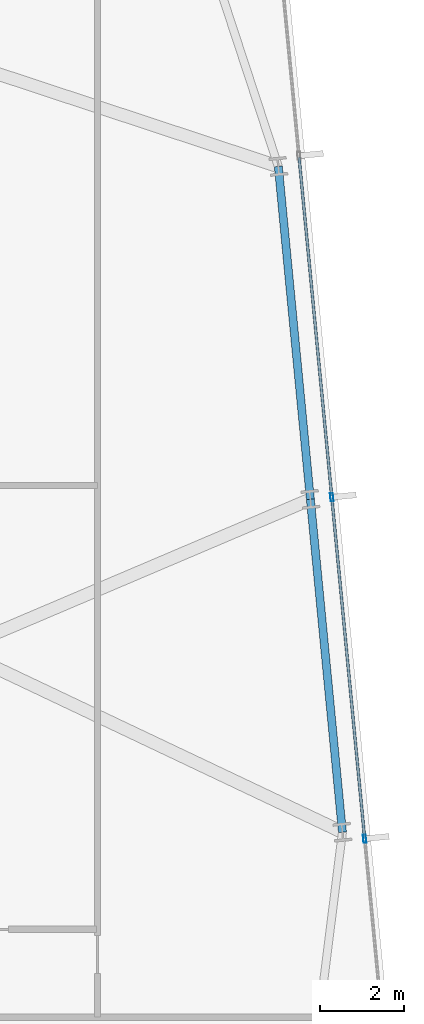
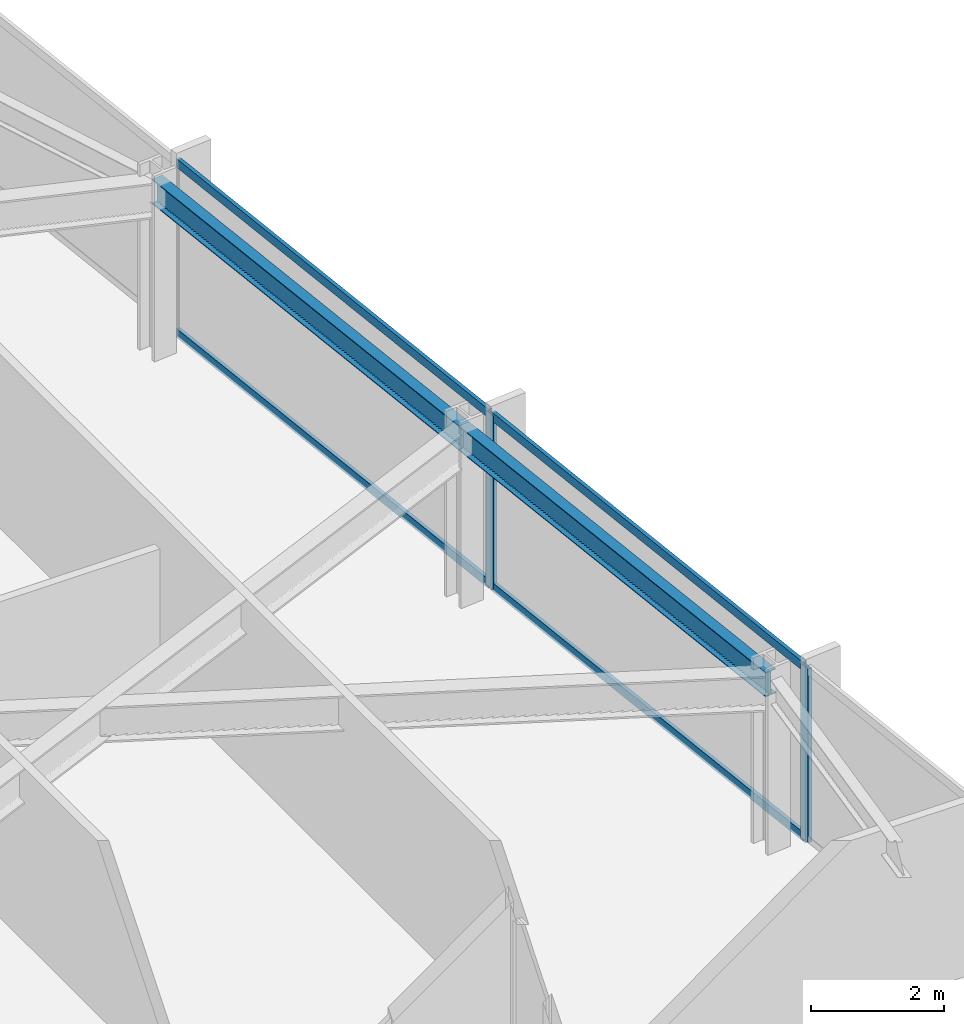
# One storey, part 16 of 33: 6 members, 2 beams, 1 element without a shape of its own.
"""IFC4 building model written with IfcOpenShell, lengths in metres."""

from ifc_helpers import new_model, si_unit, direction, frame, origin, origin_2d, place, context, subcontext, project, spatial, hollow_rectangle, i_section, extrude, material, material_profile, profile_set, type_object, element, aggregate, save


model = new_model("IFC4")

# Units and contexts
model_context = context("Model", 3, precision=1e-05, world=origin(), true_north=direction((0.0, 1.0)))
body_context = subcontext(model_context, "Body", "Model", "MODEL_VIEW")
ifc_project = project(units=[si_unit("LENGTHUNIT", "METRE"), si_unit("AREAUNIT", "SQUARE_METRE"), si_unit("VOLUMEUNIT", "CUBIC_METRE"), si_unit("PLANEANGLEUNIT", "RADIAN"), si_unit("MASSUNIT", "GRAM", prefix="KILO")], contexts=[model_context])

# Site, building, storey
site_placement = place(None, origin())
site = spatial("IfcSite", under=ifc_project, at=site_placement, CompositionType="ELEMENT")
building_placement = place(site_placement, origin())
building = spatial("IfcBuilding", under=site, at=building_placement, Name="Yelkora Congress Tower", CompositionType="ELEMENT")
storey_placement = place(building_placement, frame((0.0, 0.0, 123.699951171875)))
storey = spatial("IfcBuildingStorey", under=building, at=storey_placement, Name="L33", CompositionType="ELEMENT", Elevation=123.699951171875)

# Beams
ifc_material_1 = material(Name="Steel S355J2", Category="steel")
ifc_material_profile_1 = material_profile(ifc_material_1, i_section(OverallWidth=0.18994140625, OverallDepth=0.449951171875, WebThickness=0.009521484375, FlangeThickness=0.0146484375, FilletRadius=0.02099609375, at=origin_2d()), Name="IPE 450")
ifc_profile_set_1 = profile_set([ifc_material_profile_1], Name="Steel S355J2")
beam_type = type_object("IfcBeamType", Name="BM-SPAN-IPE450", PredefinedType="SPANDREL", material=ifc_profile_set_1)
beam_1_placement = place(storey_placement, frame((76.041259765625, 24.83349609375, 2.955078125), z_axis=(-0.095839787071, 0.995396772757, 0.0), x_axis=(-0.995396772757, -0.095839787071, 0.0)))
element("IfcBeam", 1, at=beam_1_placement, inside=storey, type_object=beam_type, Name="L33 Perimeter Beam 11", PredefinedType="SPANDREL", context=body_context, shape_type="SweptSolid", body=[
    extrude(i_section(OverallWidth=0.18994140625, OverallDepth=0.449951171875, WebThickness=0.009521484375, FlangeThickness=0.0146484375, FilletRadius=0.02099609375, at=origin_2d()), origin(), (0.0, 0.0, 1.0), 7.9248046875),
])
beam_2_placement = place(storey_placement, frame((75.28173828125, 32.721923828125, 2.955078125), z_axis=(-0.09583684824, 0.995397055712, 0.0), x_axis=(-0.995397055712, -0.09583684824, 0.0)))
element("IfcBeam", 2, at=beam_2_placement, inside=storey, type_object=beam_type, Name="L33 Perimeter Beam 12", PredefinedType="SPANDREL", context=body_context, shape_type="SweptSolid", body=[
    extrude(i_section(OverallWidth=0.18994140625, OverallDepth=0.449951171875, WebThickness=0.009521484375, FlangeThickness=0.0146484375, FilletRadius=0.02099609375, at=origin_2d()), origin(), (0.0, 0.0, 1.0), 7.925048828125),
])

# Curtain wall, members
ifc_material_2 = material(Name="Anodised aluminium and insulated glass", Category="aluminium")
curtain_wall_type = type_object("IfcCurtainWallType", Name="CW-SYS-B2", PredefinedType="NOTDEFINED", material=ifc_material_2)
curtain_wall_placement = place(storey_placement, origin())
curtain_wall = element("IfcCurtainWall", 3, at=curtain_wall_placement, inside=storey, type_object=curtain_wall_type, Name="L33 Unitised Curtain Wall 15", PredefinedType="NOTDEFINED")
ifc_material_3 = material(Name="Anodised aluminium 6063-T6", Category="aluminium")
ifc_material_profile_2 = material_profile(ifc_material_3, hollow_rectangle(XDim=0.070068359375, YDim=0.18994140625, WallThickness=0.00390625, at=origin_2d()), Name="ALU 70x190x4")
ifc_profile_set_2 = profile_set([ifc_material_profile_2], Name="Anodised aluminium 6063-T6")
member_type_1 = type_object("IfcMemberType", Name="MEM-ML-B2", PredefinedType="MULLION", material=ifc_profile_set_2)
member_1_placement = place(storey_placement, frame((75.789306640625, 32.770751953125, 0.0), z_axis=(0.0, 0.0, 1.0), x_axis=(0.995396507508, 0.095842541913, 0.0)))
member_1 = element("IfcMember", 4, at=member_1_placement, type_object=member_type_1, Name="CW-B2 mullion 3", PredefinedType="MULLION", context=body_context, shape_type="SweptSolid", body=[
    extrude(hollow_rectangle(XDim=0.070068359375, YDim=0.18994140625, WallThickness=0.00390625, at=origin_2d()), origin(), (0.0, 0.0, 1.0), 3.179931640625),
])
member_2_placement = place(storey_placement, frame((76.568603515625, 24.67822265625, 0.0), z_axis=(0.0, 0.0, 1.0), x_axis=(0.995396507508, 0.095842541913, 0.0)))
member_2 = element("IfcMember", 5, at=member_2_placement, type_object=member_type_1, Name="CW-B2 mullion 4", PredefinedType="MULLION", context=body_context, shape_type="SweptSolid", body=[
    extrude(hollow_rectangle(XDim=0.070068359375, YDim=0.18994140625, WallThickness=0.00390625, at=origin_2d()), origin(), (0.0, 0.0, 1.0), 3.179931640625),
])
ifc_material_profile_3 = material_profile(ifc_material_3, hollow_rectangle(XDim=0.06494140625, YDim=0.159912109375, WallThickness=0.00390625, at=origin_2d()), Name="ALU 65x160x4")
ifc_profile_set_3 = profile_set([ifc_material_profile_3], Name="Anodised aluminium 6063-T6")
member_type_2 = type_object("IfcMemberType", Name="MEM-TR-B2", PredefinedType="USERDEFINED", material=ifc_profile_set_3)
member_3_placement = place(storey_placement, frame((75.013427734375, 40.82861328125, 0.032470703125), z_axis=(0.095838228465, -0.995396922823, 0.0), x_axis=(0.995396922823, 0.095838228465, 0.0)))
member_3 = element("IfcMember", 6, at=member_3_placement, type_object=member_type_2, Name="CW-B2 transom 2.1", ObjectType="TRANSOM", PredefinedType="USERDEFINED", context=body_context, shape_type="SweptSolid", body=[
    extrude(hollow_rectangle(XDim=0.06494140625, YDim=0.159912109375, WallThickness=0.00390625, at=origin_2d()), origin(), (0.0, 0.0, 1.0), 8.06005859375),
])
member_4_placement = place(storey_placement, frame((75.013427734375, 40.82861328125, 3.1474609375), z_axis=(0.095838228465, -0.995396922823, 0.0), x_axis=(0.995396922823, 0.095838228465, 0.0)))
member_4 = element("IfcMember", 7, at=member_4_placement, type_object=member_type_2, Name="CW-B2 transom 2.2", ObjectType="TRANSOM", PredefinedType="USERDEFINED", context=body_context, shape_type="SweptSolid", body=[
    extrude(hollow_rectangle(XDim=0.06494140625, YDim=0.159912109375, WallThickness=0.00390625, at=origin_2d()), origin(), (0.0, 0.0, 1.0), 8.06005859375),
])
member_5_placement = place(storey_placement, frame((75.792724609375, 32.736083984375, 0.032470703125), z_axis=(0.095838228465, -0.995396922823, 0.0), x_axis=(0.995396922823, 0.095838228465, 0.0)))
member_5 = element("IfcMember", 8, at=member_5_placement, type_object=member_type_2, Name="CW-B2 transom 3.1", ObjectType="TRANSOM", PredefinedType="USERDEFINED", context=body_context, shape_type="SweptSolid", body=[
    extrude(hollow_rectangle(XDim=0.06494140625, YDim=0.159912109375, WallThickness=0.00390625, at=origin_2d()), origin(), (0.0, 0.0, 1.0), 8.06005859375),
])
member_6_placement = place(storey_placement, frame((75.792724609375, 32.736083984375, 3.1474609375), z_axis=(0.095838228465, -0.995396922823, 0.0), x_axis=(0.995396922823, 0.095838228465, 0.0)))
member_6 = element("IfcMember", 9, at=member_6_placement, type_object=member_type_2, Name="CW-B2 transom 3.2", ObjectType="TRANSOM", PredefinedType="USERDEFINED", context=body_context, shape_type="SweptSolid", body=[
    extrude(hollow_rectangle(XDim=0.06494140625, YDim=0.159912109375, WallThickness=0.00390625, at=origin_2d()), origin(), (0.0, 0.0, 1.0), 8.06005859375),
])
aggregate(curtain_wall, [member_1, member_2, member_3, member_4, member_5, member_6])

save(model, "model.ifc")
